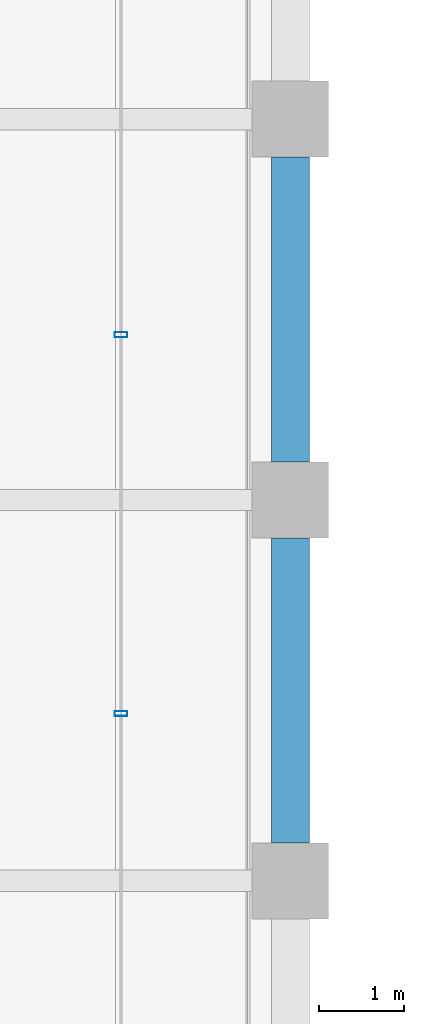
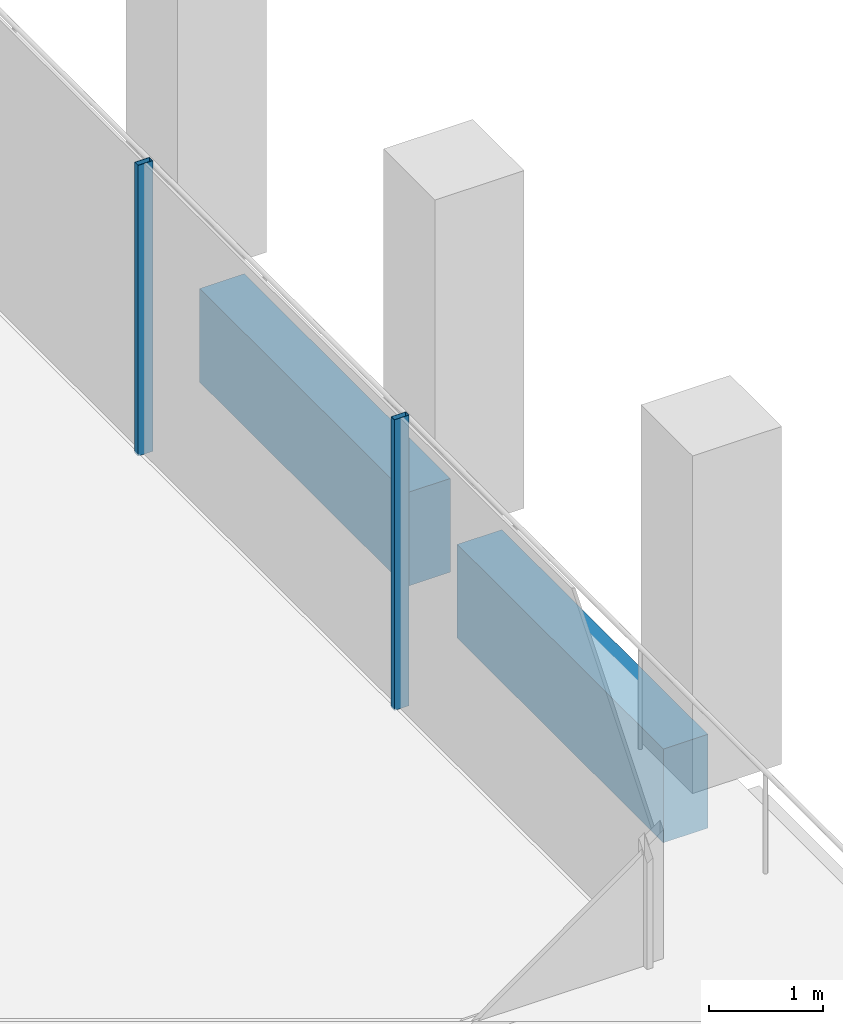
# One storey, part 15 of 40: 2 beams, 2 members, 1 element without a shape of its own.
"""IFC4 building model written with IfcOpenShell, lengths in metres."""

from ifc_helpers import new_model, si_unit, direction, frame, origin, origin_2d, place, context, subcontext, project, spatial, rectangle, hollow_rectangle, extrude, material, material_profile, profile_set, type_object, element, aggregate, save


model = new_model("IFC4")

# Units and contexts
model_context = context("Model", 3, precision=1e-05, world=origin(), true_north=direction((0.0, 1.0)))
body_context = subcontext(model_context, "Body", "Model", "MODEL_VIEW")
ifc_project = project(units=[si_unit("LENGTHUNIT", "METRE"), si_unit("AREAUNIT", "SQUARE_METRE"), si_unit("VOLUMEUNIT", "CUBIC_METRE"), si_unit("PLANEANGLEUNIT", "RADIAN"), si_unit("MASSUNIT", "GRAM", prefix="KILO")], contexts=[model_context])

# Site, building, storey
site_placement = place(None, origin())
site = spatial("IfcSite", under=ifc_project, at=site_placement, CompositionType="ELEMENT")
building_placement = place(site_placement, origin())
building = spatial("IfcBuilding", under=site, at=building_placement, Name="Altepetl Exchange Towers", CompositionType="ELEMENT")
storey_placement = place(building_placement, frame((0.0, 0.0, 165.39990234375)))
storey = spatial("IfcBuildingStorey", under=building, at=storey_placement, Name="L41", CompositionType="ELEMENT", Elevation=165.39990234375)

# Curtain wall, members
ifc_material_1 = material(Name="Aluminium 6063-T6 glazing", Category="aluminium")
curtain_wall_type = type_object("IfcCurtainWallType", Name="Loggia glazing system", PredefinedType="NOTDEFINED", material=ifc_material_1)
curtain_wall_placement = place(storey_placement, origin())
curtain_wall = element("IfcCurtainWall", 1, at=curtain_wall_placement, inside=storey, type_object=curtain_wall_type, Name="CW1 run", PredefinedType="NOTDEFINED")
ifc_material_2 = material(Name="Aluminium 6063-T6", Category="aluminium")
ifc_material_profile_1 = material_profile(ifc_material_2, hollow_rectangle(XDim=0.06005859375, YDim=0.14990234375, WallThickness=0.0029296875, at=origin_2d()), Name="Mullion 60x150 aluminium")
ifc_profile_set_1 = profile_set([ifc_material_profile_1], Name="Aluminium 6063-T6")
member_type = type_object("IfcMemberType", Name="Mullion 60x150 aluminium", PredefinedType="MULLION", material=ifc_profile_set_1)
member_1_placement = place(storey_placement, frame((70.0, 37.97607421875, 0.0), z_axis=(0.0, 0.0, 1.0), x_axis=(0.0, 1.0, 0.0)))
member_1 = element("IfcMember", 2, at=member_1_placement, type_object=member_type, Name="MU1 mullion", PredefinedType="MULLION", context=body_context, shape_type="SweptSolid", body=[
    extrude(hollow_rectangle(XDim=0.06005859375, YDim=0.14990234375, WallThickness=0.0029296875, at=origin_2d()), origin(), (0.0, 0.0, 1.0), 3.10009765625),
])
member_2_placement = place(storey_placement, frame((70.0, 42.451904296875, 0.0), z_axis=(0.0, 0.0, 1.0), x_axis=(0.0, 1.0, 0.0)))
member_2 = element("IfcMember", 3, at=member_2_placement, type_object=member_type, Name="MU1 mullion", PredefinedType="MULLION", context=body_context, shape_type="SweptSolid", body=[
    extrude(hollow_rectangle(XDim=0.06005859375, YDim=0.14990234375, WallThickness=0.0029296875, at=origin_2d()), origin(), (0.0, 0.0, 1.0), 3.10009765625),
])
aggregate(curtain_wall, [member_1, member_2])

# Beams
ifc_material_3 = material(Name="Concrete C50/60 precast with cantera amarilla facing", Category="concrete")
ifc_material_profile_2 = material_profile(ifc_material_3, rectangle(XDim=0.449951171875, YDim=1.0, at=origin_2d()), Name="450 x 1000")
ifc_profile_set_2 = profile_set([ifc_material_profile_2], Name="Concrete C50/60 precast with cantera amarilla facing")
beam_type = type_object("IfcBeamType", Name="Spandrel beam 450x1000 cantera amarilla", PredefinedType="SPANDREL", material=ifc_profile_set_2)
for number, where, z_axis, x_axis, name in (
    (4, (72.0, 36.449951171875, -0.64990234375), (0.0, 1.0, 0.0), (-1.0, 0.0, 0.0), "sp:A:L41:013"),
    (5, (72.0, 40.949951171875, -0.64990234375), (0.0, 1.0, 0.0), (-1.0, 0.0, 0.0), "sp:A:L41:014"),
):
    element("IfcBeam", number, at=place(storey_placement, frame(where, z_axis=z_axis, x_axis=x_axis)), inside=storey, type_object=beam_type, Name=name, PredefinedType="SPANDREL", context=body_context, shape_type="SweptSolid", body=[
        extrude(rectangle(XDim=0.449951171875, YDim=1.0, at=origin_2d()), origin(), (0.0, 0.0, 1.0), 3.60009765625),
    ])

save(model, "model.ifc")
